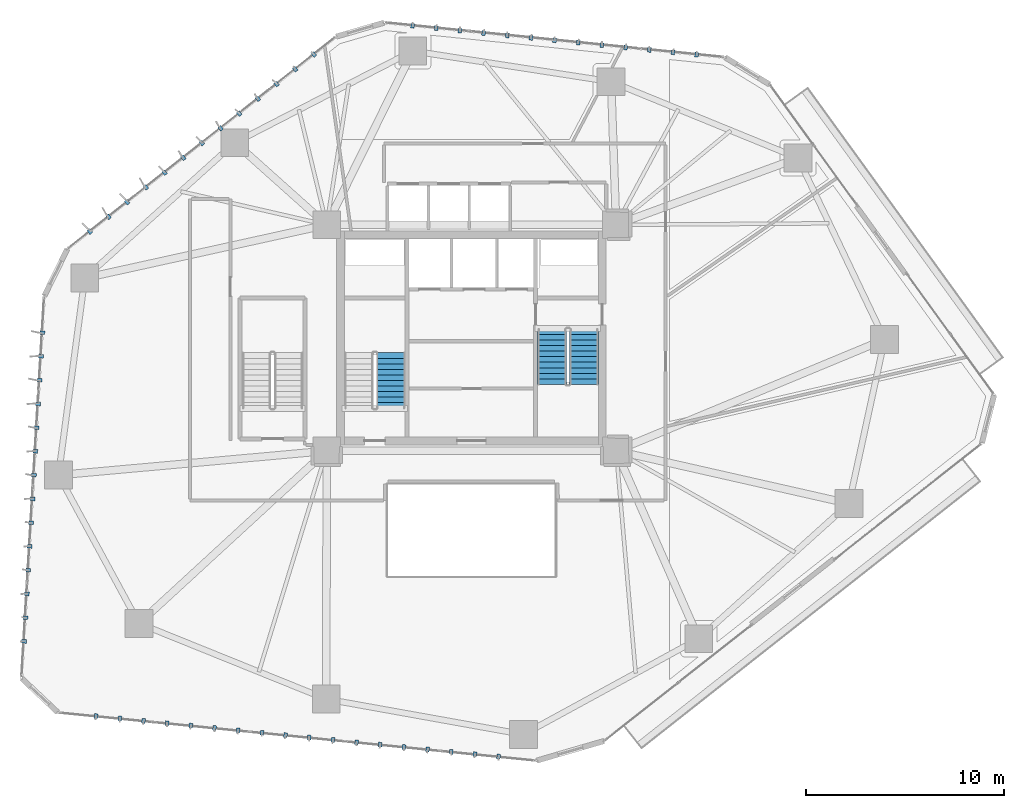
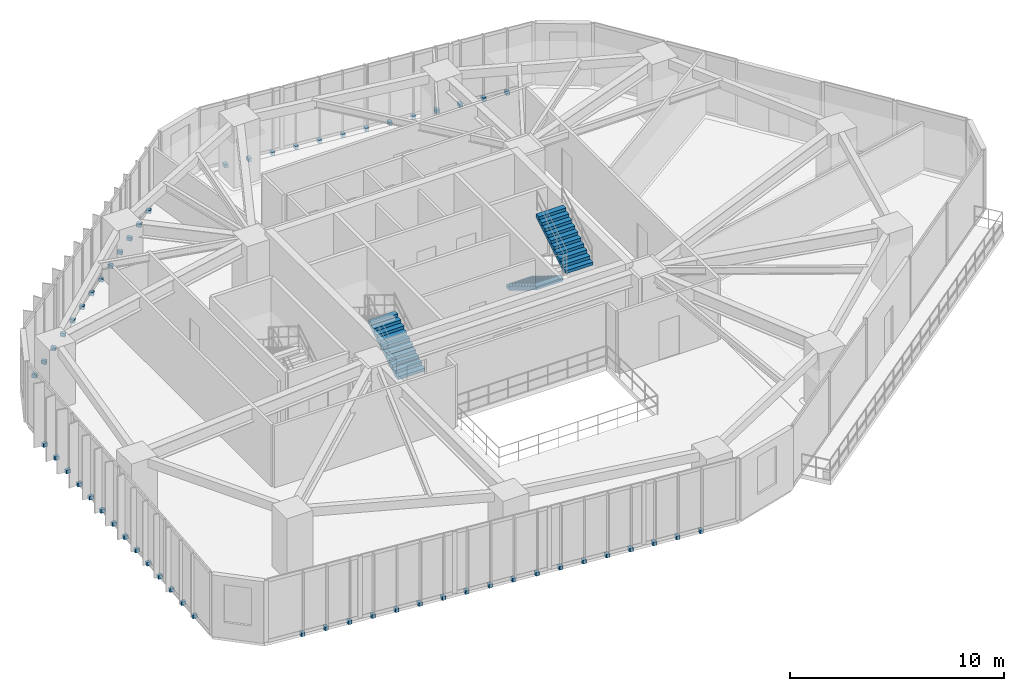
# One storey, part 21 of 24: 58 discrete accessories, 3 stair flights, 2 elements without a shape of their own.
"""IFC4 building model written with IfcOpenShell, lengths in metres."""

from ifc_helpers import new_model, si_unit, direction, frame, origin, origin_2d, place, context, subcontext, project, spatial, polyline, rectangle, outline, extrude, source, transform, mapped, material, layer, layer_set, type_object, type_shapes, element, aggregate, save


model = new_model("IFC4")

# Units and contexts
model_context = context("Model", 3, precision=1e-05, world=origin(), true_north=direction((0.0, 1.0)))
body_context = subcontext(model_context, "Body", "Model", "MODEL_VIEW")
ifc_project = project(units=[si_unit("LENGTHUNIT", "METRE"), si_unit("AREAUNIT", "SQUARE_METRE"), si_unit("VOLUMEUNIT", "CUBIC_METRE"), si_unit("PLANEANGLEUNIT", "RADIAN"), si_unit("MASSUNIT", "GRAM", prefix="KILO")], contexts=[model_context])

# Site, building, storey
site_placement = place(None, origin())
site = spatial("IfcSite", under=ifc_project, at=site_placement, CompositionType="ELEMENT")
building_placement = place(site_placement, origin())
building = spatial("IfcBuilding", under=site, at=building_placement, Name="Talar Marvaseh", CompositionType="ELEMENT")
storey_placement = place(building_placement, frame((0.0, 0.0, 73.39990234375)))
storey = spatial("IfcBuildingStorey", under=building, at=storey_placement, Name="L18", CompositionType="ELEMENT", Elevation=73.39990234375)

# Stair, stair flight
ifc_material_1 = material(Name="Concrete C40/50", Category="concrete")
stair_type = type_object("IfcStairType", Name="Reinforced Concrete Half-Turn Exit Stair Type B", PredefinedType="HALF_TURN_STAIR", material=ifc_material_1)
stair_1_placement = place(storey_placement, origin())
stair_1 = element("IfcStair", 1, at=stair_1_placement, inside=storey, type_object=stair_type, Name="L18 Tower West Core Exit Stair", PredefinedType="HALF_TURN_STAIR")
ifc_layer = layer(ifc_material_1, 0.159912109375)
ifc_layer_set = layer_set([ifc_layer], Name="Concrete C40/50")
stair_flight_type = type_object("IfcStairFlightType", Name="Reinforced Concrete Straight Stair Flight 160", PredefinedType="STRAIGHT", material=ifc_layer_set)
stair_flight_1_placement = place(storey_placement, frame((21.93505859375, 27.64990234375, 0.0), z_axis=(0.0, 0.0, 1.0), x_axis=(0.0, 1.0, 0.0)))
stair_flight_1 = element("IfcStairFlight", 2, at=stair_flight_1_placement, type_object=stair_flight_type, Name="ST-1 flight 1", NumberOfRisers=11, NumberOfTreads=10, PredefinedType="STRAIGHT", RiserHeight=0.172727273, TreadLength=0.28, context=body_context, shape_type="SweptSolid", body=[
    extrude(outline(polyline([(0.0, 0.0), (0.0, 0.172607421875), (0.280029296875, 0.172607421875), (0.280029296875, 0.345458984375), (0.56005859375, 0.345458984375), (0.56005859375, 0.51806640625), (0.840087890625, 0.51806640625), (0.840087890625, 0.69091796875), (1.1201171875, 0.69091796875), (1.1201171875, 0.863525390625), (1.39990234375, 0.863525390625), (1.39990234375, 1.036376953125), (1.679931640625, 1.036376953125), (1.679931640625, 1.208984375), (1.9599609375, 1.208984375), (1.9599609375, 1.3818359375), (2.239990234375, 1.3818359375), (2.239990234375, 1.554443359375), (2.52001953125, 1.554443359375), (2.52001953125, 1.727294921875), (2.800048828125, 1.727294921875), (2.800048828125, 1.89990234375), (2.800048828125, 1.539306640625), (0.3046875, 0.0), (0.0, 0.0)])), frame((0.0, 0.72509765625, 0.0), z_axis=(0.0, -1.0, 0.0), x_axis=(1.0, 0.0, 0.0)), (0.0, 0.0, 1.0), 1.449951171875),
])
aggregate(stair_1, [stair_flight_1])

# Stair, stair flights
stair_2_placement = place(storey_placement, origin())
stair_2 = element("IfcStair", 3, at=stair_2_placement, inside=storey, type_object=stair_type, Name="L18 Tower East Core Exit Stair", PredefinedType="HALF_TURN_STAIR")
stair_flight_2_placement = place(storey_placement, frame((30.06494140625, 31.64990234375, 0.0), z_axis=(0.0, 0.0, 1.0), x_axis=(0.0, -1.0, 0.0)))
stair_flight_2 = element("IfcStairFlight", 4, at=stair_flight_2_placement, type_object=stair_flight_type, Name="ST-2 flight 1", NumberOfRisers=11, NumberOfTreads=10, PredefinedType="STRAIGHT", RiserHeight=0.172727273, TreadLength=0.28, context=body_context, shape_type="SweptSolid", body=[
    extrude(outline(polyline([(0.0, 0.0), (0.0, 0.172607421875), (0.280029296875, 0.172607421875), (0.280029296875, 0.345458984375), (0.56005859375, 0.345458984375), (0.56005859375, 0.51806640625), (0.840087890625, 0.51806640625), (0.840087890625, 0.69091796875), (1.1201171875, 0.69091796875), (1.1201171875, 0.863525390625), (1.39990234375, 0.863525390625), (1.39990234375, 1.036376953125), (1.679931640625, 1.036376953125), (1.679931640625, 1.208984375), (1.9599609375, 1.208984375), (1.9599609375, 1.3818359375), (2.239990234375, 1.3818359375), (2.239990234375, 1.554443359375), (2.52001953125, 1.554443359375), (2.52001953125, 1.727294921875), (2.800048828125, 1.727294921875), (2.800048828125, 1.89990234375), (2.800048828125, 1.539306640625), (0.3046875, 0.0), (0.0, 0.0)])), frame((0.0, 0.72509765625, 0.0), z_axis=(0.0, -1.0, 0.0), x_axis=(1.0, 0.0, 0.0)), (0.0, 0.0, 1.0), 1.449951171875),
])
stair_flight_3_placement = place(storey_placement, frame((31.675048828125, 28.85009765625, 1.900146484375), z_axis=(0.0, 0.0, 1.0), x_axis=(0.0, 1.0, 0.0)))
stair_flight_3 = element("IfcStairFlight", 5, at=stair_flight_3_placement, type_object=stair_flight_type, Name="ST-2 flight 2", NumberOfRisers=11, NumberOfTreads=10, PredefinedType="STRAIGHT", RiserHeight=0.172727273, TreadLength=0.28, context=body_context, shape_type="SweptSolid", body=[
    extrude(outline(polyline([(0.0, 0.0), (0.0, 0.172607421875), (0.280029296875, 0.172607421875), (0.280029296875, 0.345458984375), (0.56005859375, 0.345458984375), (0.56005859375, 0.51806640625), (0.840087890625, 0.51806640625), (0.840087890625, 0.69091796875), (1.1201171875, 0.69091796875), (1.1201171875, 0.863525390625), (1.39990234375, 0.863525390625), (1.39990234375, 1.036376953125), (1.679931640625, 1.036376953125), (1.679931640625, 1.208984375), (1.9599609375, 1.208984375), (1.9599609375, 1.3818359375), (2.239990234375, 1.3818359375), (2.239990234375, 1.554443359375), (2.52001953125, 1.554443359375), (2.52001953125, 1.727294921875), (2.800048828125, 1.727294921875), (2.800048828125, 1.89990234375), (2.800048828125, 1.539306640625), (0.3046875, 0.0), (0.0, 0.0)])), frame((0.0, 0.72509765625, 0.0), z_axis=(0.0, -1.0, 0.0), x_axis=(1.0, 0.0, 0.0)), (0.0, 0.0, 1.0), 1.449951171875),
])
aggregate(stair_2, [stair_flight_2, stair_flight_3])

# Discrete accessories
ifc_material_2 = material(Name="Stainless Steel Grade 316", Category="steel")
discrete_accessory_type = type_object("IfcDiscreteAccessoryType", Name="Stainless Slab-Edge Fin Mounting Bracket", PredefinedType="BRACKET", material=ifc_material_2)
shared_shape = source(origin(), body_context, "Body", "SweptSolid", [
    extrude(rectangle(XDim=0.239990234375, YDim=0.179931640625, at=origin_2d()), origin(), (0.0, 0.0, 1.0), 0.199951171875),
])
type_shapes(discrete_accessory_type, [shared_shape])
for number, where, z_axis, x_axis, name in (
    (6, (3.436279296875, 15.889892578125, -0.1796875), (0.0, 0.0, 1.0), (-0.998239827924, 0.059306373576, 0.0), "L18 Vertical Fin Slab-Edge Bracket"),
    (7, (3.507568359375, 17.087890625, -0.1796875), (0.0, 0.0, 1.0), (-0.998239827924, 0.059306373576, 0.0), "L18 Vertical Fin Slab-Edge Bracket"),
    (8, (3.578857421875, 18.285888671875, -0.1796875), (0.0, 0.0, 1.0), (-0.998239827924, 0.059306373576, 0.0), "L18 Vertical Fin Slab-Edge Bracket"),
    (9, (3.650146484375, 19.483642578125, -0.1796875), (0.0, 0.0, 1.0), (-0.998239827924, 0.059306373576, 0.0), "L18 Vertical Fin Slab-Edge Bracket"),
    (10, (3.72119140625, 20.681640625, -0.1796875), (0.0, 0.0, 1.0), (-0.998239827924, 0.059306373576, 0.0), "L18 Vertical Fin Slab-Edge Bracket"),
    (11, (3.79248046875, 21.87939453125, -0.1796875), (0.0, 0.0, 1.0), (-0.998239827924, 0.059306373576, 0.0), "L18 Vertical Fin Slab-Edge Bracket"),
    (12, (3.86376953125, 23.077392578125, -0.1796875), (0.0, 0.0, 1.0), (-0.998239827924, 0.059306373576, 0.0), "L18 Vertical Fin Slab-Edge Bracket"),
    (13, (3.93505859375, 24.275146484375, -0.1796875), (0.0, 0.0, 1.0), (-0.998239827924, 0.059306373576, 0.0), "L18 Vertical Fin Slab-Edge Bracket"),
    (14, (4.00634765625, 25.47314453125, -0.1796875), (0.0, 0.0, 1.0), (-0.998239827924, 0.059306373576, 0.0), "L18 Vertical Fin Slab-Edge Bracket"),
    (15, (4.077392578125, 26.6708984375, -0.1796875), (0.0, 0.0, 1.0), (-0.998239827924, 0.059306373576, 0.0), "L18 Vertical Fin Slab-Edge Bracket"),
    (16, (4.148681640625, 27.868896484375, -0.1796875), (0.0, 0.0, 1.0), (-0.998239827924, 0.059306373576, 0.0), "L18 Vertical Fin Slab-Edge Bracket"),
    (17, (4.219970703125, 29.066650390625, -0.1796875), (0.0, 0.0, 1.0), (-0.998239827924, 0.059306373576, 0.0), "L18 Vertical Fin Slab-Edge Bracket"),
    (18, (4.291259765625, 30.2646484375, -0.1796875), (0.0, 0.0, 1.0), (-0.998239827924, 0.059306373576, 0.0), "L18 Vertical Fin Slab-Edge Bracket"),
    (19, (4.362548828125, 31.46240234375, -0.1796875), (0.0, 0.0, 1.0), (-0.998239827924, 0.059306373576, 0.0), "L18 Vertical Fin Slab-Edge Bracket"),
    (20, (6.758544921875, 36.559814453125, -0.1796875), (0.0, 0.0, 1.0), (-0.620052932662, 0.784559979031, 0.0), "L18 Vertical Fin Slab-Edge Bracket"),
    (21, (7.7001953125, 37.3037109375, -0.1796875), (0.0, 0.0, 1.0), (-0.620052932662, 0.784559979031, 0.0), "L18 Vertical Fin Slab-Edge Bracket"),
    (22, (8.6416015625, 38.047607421875, -0.1796875), (0.0, 0.0, 1.0), (-0.620052932662, 0.784559979031, 0.0), "L18 Vertical Fin Slab-Edge Bracket"),
    (23, (9.5830078125, 38.791748046875, -0.1796875), (0.0, 0.0, 1.0), (-0.620052932662, 0.784559979031, 0.0), "L18 Vertical Fin Slab-Edge Bracket"),
    (24, (10.524658203125, 39.535888671875, -0.1796875), (0.0, 0.0, 1.0), (-0.620052932662, 0.784559979031, 0.0), "L18 Vertical Fin Slab-Edge Bracket"),
    (25, (11.466064453125, 40.27978515625, -0.1796875), (0.0, 0.0, 1.0), (-0.620052932662, 0.784559979031, 0.0), "L18 Vertical Fin Slab-Edge Bracket"),
    (26, (12.40771484375, 41.023681640625, -0.1796875), (0.0, 0.0, 1.0), (-0.620052932662, 0.784559979031, 0.0), "L18 Vertical Fin Slab-Edge Bracket"),
    (27, (13.34912109375, 41.767822265625, -0.1796875), (0.0, 0.0, 1.0), (-0.620052932662, 0.784559979031, 0.0), "L18 Vertical Fin Slab-Edge Bracket"),
    (28, (14.29052734375, 42.511962890625, -0.1796875), (0.0, 0.0, 1.0), (-0.620052932662, 0.784559979031, 0.0), "L18 Vertical Fin Slab-Edge Bracket"),
    (29, (15.232177734375, 43.255859375, -0.1796875), (0.0, 0.0, 1.0), (-0.620052932662, 0.784559979031, 0.0), "L18 Vertical Fin Slab-Edge Bracket"),
    (30, (16.173583984375, 44.0, -0.1796875), (0.0, 0.0, 1.0), (-0.620052932662, 0.784559979031, 0.0), "L18 Vertical Fin Slab-Edge Bracket"),
    (31, (17.114990234375, 44.743896484375, -0.1796875), (0.0, 0.0, 1.0), (-0.620052932662, 0.784559979031, 0.0), "L18 Vertical Fin Slab-Edge Bracket"),
    (32, (18.056640625, 45.488037109375, -0.1796875), (0.0, 0.0, 1.0), (-0.620052932662, 0.784559979031, 0.0), "L18 Vertical Fin Slab-Edge Bracket"),
    (33, (23.034423828125, 46.93896484375, -0.1796875), (0.0, 0.0, 1.0), (0.1014035699, 0.994845372916, 0.0), "L18 Vertical Fin Slab-Edge Bracket"),
    (34, (24.228271484375, 46.817138671875, -0.1796875), (0.0, 0.0, 1.0), (0.1014035699, 0.994845372916, 0.0), "L18 Vertical Fin Slab-Edge Bracket"),
    (35, (25.422119140625, 46.695556640625, -0.1796875), (0.0, 0.0, 1.0), (0.1014035699, 0.994845372916, 0.0), "L18 Vertical Fin Slab-Edge Bracket"),
    (36, (26.615966796875, 46.573974609375, -0.1796875), (0.0, 0.0, 1.0), (0.1014035699, 0.994845372916, 0.0), "L18 Vertical Fin Slab-Edge Bracket"),
    (37, (27.809814453125, 46.452392578125, -0.1796875), (0.0, 0.0, 1.0), (0.1014035699, 0.994845372916, 0.0), "L18 Vertical Fin Slab-Edge Bracket"),
    (38, (29.003662109375, 46.330810546875, -0.1796875), (0.0, 0.0, 1.0), (0.1014035699, 0.994845372916, 0.0), "L18 Vertical Fin Slab-Edge Bracket"),
    (39, (30.197509765625, 46.208984375, -0.1796875), (0.0, 0.0, 1.0), (0.1014035699, 0.994845372916, 0.0), "L18 Vertical Fin Slab-Edge Bracket"),
    (40, (31.39111328125, 46.08740234375, -0.1796875), (0.0, 0.0, 1.0), (0.1014035699, 0.994845372916, 0.0), "L18 Vertical Fin Slab-Edge Bracket"),
    (41, (32.5849609375, 45.9658203125, -0.1796875), (0.0, 0.0, 1.0), (0.1014035699, 0.994845372916, 0.0), "L18 Vertical Fin Slab-Edge Bracket"),
    (42, (33.77880859375, 45.843994140625, -0.1796875), (0.0, 0.0, 1.0), (0.1014035699, 0.994845372916, 0.0), "L18 Vertical Fin Slab-Edge Bracket"),
    (43, (34.97265625, 45.722412109375, -0.1796875), (0.0, 0.0, 1.0), (0.1014035699, 0.994845372916, 0.0), "L18 Vertical Fin Slab-Edge Bracket"),
    (44, (36.16650390625, 45.600830078125, -0.1796875), (0.0, 0.0, 1.0), (0.1014035699, 0.994845372916, 0.0), "L18 Vertical Fin Slab-Edge Bracket"),
    (45, (37.3603515625, 45.479248046875, -0.1796875), (0.0, 0.0, 1.0), (0.1014035699, 0.994845372916, 0.0), "L18 Vertical Fin Slab-Edge Bracket"),
    (46, (27.371826171875, 10.081298828125, -0.1796875), (0.0, 0.0, 1.0), (-0.100014405321, -0.994985989212, 0.0), "L18 Vertical Fin Slab-Edge Bracket"),
    (47, (26.177978515625, 10.201416015625, -0.1796875), (0.0, 0.0, 1.0), (-0.100014405321, -0.994985989212, 0.0), "L18 Vertical Fin Slab-Edge Bracket"),
    (48, (24.98388671875, 10.321533203125, -0.1796875), (0.0, 0.0, 1.0), (-0.100014405321, -0.994985989212, 0.0), "L18 Vertical Fin Slab-Edge Bracket"),
    (49, (23.7900390625, 10.44140625, -0.1796875), (0.0, 0.0, 1.0), (-0.100014405321, -0.994985989212, 0.0), "L18 Vertical Fin Slab-Edge Bracket"),
    (50, (22.595947265625, 10.5615234375, -0.1796875), (0.0, 0.0, 1.0), (-0.100014405321, -0.994985989212, 0.0), "L18 Vertical Fin Slab-Edge Bracket"),
    (51, (21.402099609375, 10.681640625, -0.1796875), (0.0, 0.0, 1.0), (-0.100014405321, -0.994985989212, 0.0), "L18 Vertical Fin Slab-Edge Bracket"),
    (52, (20.2080078125, 10.801513671875, -0.1796875), (0.0, 0.0, 1.0), (-0.100014405321, -0.994985989212, 0.0), "L18 Vertical Fin Slab-Edge Bracket"),
    (53, (19.01416015625, 10.921630859375, -0.1796875), (0.0, 0.0, 1.0), (-0.100014405321, -0.994985989212, 0.0), "L18 Vertical Fin Slab-Edge Bracket"),
    (54, (17.820068359375, 11.041748046875, -0.1796875), (0.0, 0.0, 1.0), (-0.100014405321, -0.994985989212, 0.0), "L18 Vertical Fin Slab-Edge Bracket"),
    (55, (16.626220703125, 11.161865234375, -0.1796875), (0.0, 0.0, 1.0), (-0.100014405321, -0.994985989212, 0.0), "L18 Vertical Fin Slab-Edge Bracket"),
    (56, (15.43212890625, 11.28173828125, -0.1796875), (0.0, 0.0, 1.0), (-0.100014405321, -0.994985989212, 0.0), "L18 Vertical Fin Slab-Edge Bracket"),
    (57, (14.238037109375, 11.40185546875, -0.1796875), (0.0, 0.0, 1.0), (-0.100014405321, -0.994985989212, 0.0), "L18 Vertical Fin Slab-Edge Bracket"),
    (58, (13.044189453125, 11.52197265625, -0.1796875), (0.0, 0.0, 1.0), (-0.100014405321, -0.994985989212, 0.0), "L18 Vertical Fin Slab-Edge Bracket"),
    (59, (11.85009765625, 11.641845703125, -0.1796875), (0.0, 0.0, 1.0), (-0.100014405321, -0.994985989212, 0.0), "L18 Vertical Fin Slab-Edge Bracket"),
    (60, (10.65625, 11.761962890625, -0.1796875), (0.0, 0.0, 1.0), (-0.100014405321, -0.994985989212, 0.0), "L18 Vertical Fin Slab-Edge Bracket"),
    (61, (9.462158203125, 11.882080078125, -0.1796875), (0.0, 0.0, 1.0), (-0.100014405321, -0.994985989212, 0.0), "L18 Vertical Fin Slab-Edge Bracket"),
    (62, (8.268310546875, 12.002197265625, -0.1796875), (0.0, 0.0, 1.0), (-0.100014405321, -0.994985989212, 0.0), "L18 Vertical Fin Slab-Edge Bracket"),
    (63, (7.07421875, 12.1220703125, -0.1796875), (0.0, 0.0, 1.0), (-0.100014405321, -0.994985989212, 0.0), "L18 Vertical Fin Slab-Edge Bracket"),
):
    element("IfcDiscreteAccessory", number, at=place(storey_placement, frame(where, z_axis=z_axis, x_axis=x_axis)), inside=storey, type_object=discrete_accessory_type, Name=name, PredefinedType="BRACKET", context=body_context, shape_type="MappedRepresentation", body=[
        mapped(shared_shape, transform((0.0, 0.0, 0.0), x_axis=(1.0, 0.0, 0.0), y_axis=(0.0, 1.0, 0.0), z_axis=(0.0, 0.0, 1.0), scale=1.0)),
    ])

save(model, "model.ifc")
